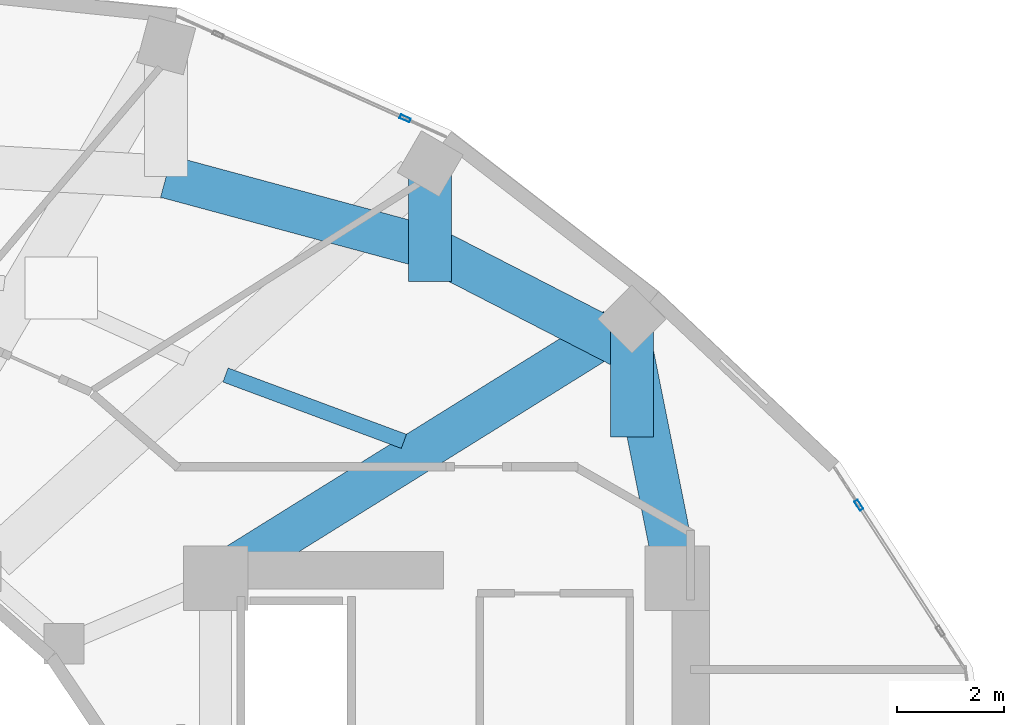
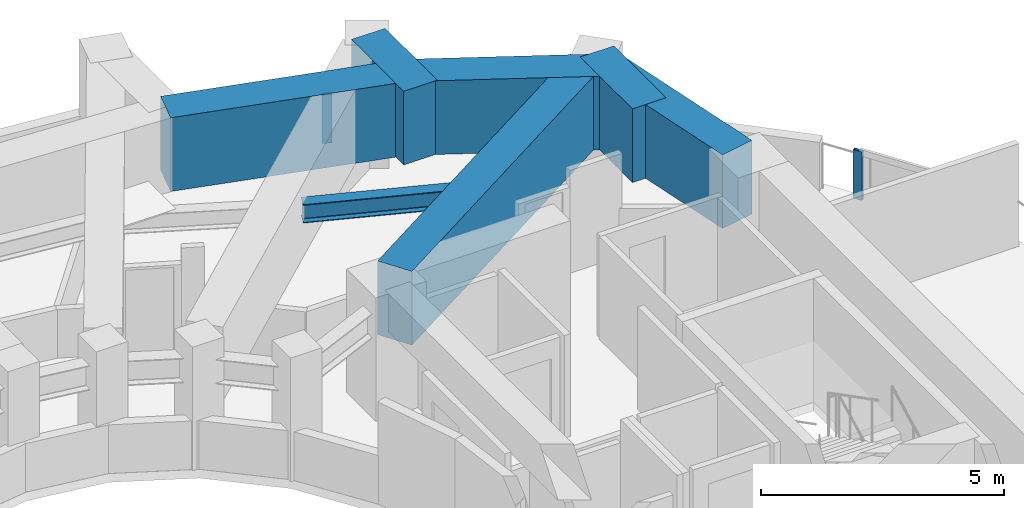
# One storey, part 10 of 20: 7 beams, 2 members, 2 elements without a shape of their own.
"""IFC4 building model written with IfcOpenShell, lengths in metres."""

from ifc_helpers import new_model, si_unit, direction, frame, origin, origin_2d, place, context, subcontext, project, spatial, rectangle, hollow_rectangle, i_section, extrude, material, layer, layer_set, material_profile, profile_set, type_object, element, aggregate, save


model = new_model("IFC4")

# Units and contexts
model_context = context("Model", 3, precision=1e-05, world=origin(), true_north=direction((0.0, 1.0)))
body_context = subcontext(model_context, "Body", "Model", "MODEL_VIEW")
ifc_project = project(units=[si_unit("LENGTHUNIT", "METRE"), si_unit("AREAUNIT", "SQUARE_METRE"), si_unit("VOLUMEUNIT", "CUBIC_METRE"), si_unit("PLANEANGLEUNIT", "RADIAN"), si_unit("MASSUNIT", "GRAM", prefix="KILO")], contexts=[model_context])

# Site, building, storey
site_placement = place(None, origin())
site = spatial("IfcSite", under=ifc_project, at=site_placement, CompositionType="ELEMENT")
building_placement = place(site_placement, origin())
building = spatial("IfcBuilding", under=site, at=building_placement, Name="Solvane Sanctuary Tower", CompositionType="ELEMENT")
storey_placement = place(building_placement, frame((0.0, 0.0, 159.10009765625)))
storey = spatial("IfcBuildingStorey", under=building, at=storey_placement, Name="L48", CompositionType="ELEMENT", Elevation=159.10009765625)

# Beams
ifc_material_1 = material(Name="Steel ASTM A992 Grade 50", Category="steel")
ifc_material_profile_1 = material_profile(ifc_material_1, i_section(OverallWidth=0.280029296875, OverallDepth=0.462890625, WebThickness=0.0107421875, FlangeThickness=0.017333984375, FilletRadius=0.013916015625, at=origin_2d()), Name="W18X76")
ifc_profile_set_1 = profile_set([ifc_material_profile_1], Name="Steel ASTM A992 Grade 50")
beam_type_1 = type_object("IfcBeamType", Name="Beam B-SEC-JOIST W18X76", PredefinedType="JOIST", material=ifc_profile_set_1)
beam_1_placement = place(storey_placement, frame((40.2841796875, 33.989501953125, 2.366455078125), z_axis=(0.93726788939, -0.348609959006, 0.0), x_axis=(0.348609959006, 0.93726788939, 0.0)))
element("IfcBeam", 1, at=beam_1_placement, inside=storey, type_object=beam_type_1, Name="L48 Secondary Circumferential Joist 02-01", PredefinedType="JOIST", context=body_context, shape_type="SweptSolid", body=[
    extrude(i_section(OverallWidth=0.280029296875, OverallDepth=0.462890625, WebThickness=0.0107421875, FlangeThickness=0.017333984375, FilletRadius=0.013916015625, at=origin_2d()), origin(), (0.0, 0.0, 1.0), 3.54638671875),
])
ifc_material_2 = material(Name="Concrete C70/85", Category="concrete")
ifc_material_profile_2 = material_profile(ifc_material_2, rectangle(XDim=0.800048828125, YDim=1.85009765625, at=origin_2d()), Name="RC800X1850")
ifc_profile_set_2 = profile_set([ifc_material_profile_2], Name="Concrete C70/85")
beam_type_2 = type_object("IfcBeamType", Name="Beam B-XFER-BLK RC800X1850", PredefinedType="BEAM", material=ifc_profile_set_2)
beam_2_placement = place(storey_placement, frame((40.405517578125, 30.390380859375, 2.1748046875), z_axis=(0.848827580256, 0.528669782565, 0.0), x_axis=(-0.528669782565, 0.848827580256, 0.0)))
element("IfcBeam", 2, at=beam_2_placement, inside=storey, type_object=beam_type_2, Name="L48 Block-Shift Radial Transfer Girder 01A", PredefinedType="BEAM", context=body_context, shape_type="SweptSolid", body=[
    extrude(rectangle(XDim=0.800048828125, YDim=1.85009765625, at=origin_2d()), origin(), (0.0, 0.0, 1.0), 8.407958984375),
])
beam_3_placement = place(storey_placement, frame((47.856689453125, 34.981201171875, 2.1748046875), z_axis=(0.0, -1.0, 0.0), x_axis=(1.0, 0.0, 0.0)))
element("IfcBeam", 3, at=beam_3_placement, inside=storey, type_object=beam_type_2, Name="L48 Block-Shift Transfer Tie 01B", PredefinedType="BEAM", context=body_context, shape_type="SweptSolid", body=[
    extrude(rectangle(XDim=0.800048828125, YDim=1.85009765625, at=origin_2d()), origin(), (0.0, 0.0, 1.0), 2.150146484375),
])
beam_4_placement = place(storey_placement, frame((44.09814453125, 37.8779296875, 2.1748046875), z_axis=(0.0, -1.0, 0.0), x_axis=(1.0, 0.0, 0.0)))
element("IfcBeam", 4, at=beam_4_placement, inside=storey, type_object=beam_type_2, Name="L48 Block-Shift Transfer Tie 02B", PredefinedType="BEAM", context=body_context, shape_type="SweptSolid", body=[
    extrude(rectangle(XDim=0.800048828125, YDim=1.85009765625, at=origin_2d()), origin(), (0.0, 0.0, 1.0), 2.14990234375),
])
beam_5_placement = place(storey_placement, frame((39.17822265625, 37.686767578125, 2.1748046875), z_axis=(0.965477774792, -0.260485443705, 0.0), x_axis=(0.260485443705, 0.965477774792, 0.0)))
element("IfcBeam", 5, at=beam_5_placement, inside=storey, type_object=beam_type_2, Name="L48 Perimeter Step Transfer Ring NTC03-NTC02", PredefinedType="BEAM", context=body_context, shape_type="SweptSolid", body=[
    extrude(rectangle(XDim=0.800048828125, YDim=1.85009765625, at=origin_2d()), origin(), (0.0, 0.0, 1.0), 5.095947265625),
])
beam_6_placement = place(storey_placement, frame((44.09814453125, 36.359375, 2.1748046875), z_axis=(0.889297870953, -0.457328434189, 0.0), x_axis=(0.457328434189, 0.889297870953, 0.0)))
element("IfcBeam", 6, at=beam_6_placement, inside=storey, type_object=beam_type_2, Name="L48 Perimeter Step Transfer Ring NTC02-NTC01", PredefinedType="BEAM", context=body_context, shape_type="SweptSolid", body=[
    extrude(rectangle(XDim=0.800048828125, YDim=1.85009765625, at=origin_2d()), origin(), (0.0, 0.0, 1.0), 4.226318359375),
])
beam_7_placement = place(storey_placement, frame((47.856689453125, 34.426513671875, 2.1748046875), z_axis=(0.19562876256, -0.980678024256, 0.0), x_axis=(0.980678024256, 0.19562876256, 0.0)))
element("IfcBeam", 7, at=beam_7_placement, inside=storey, type_object=beam_type_2, Name="L48 Perimeter Step Transfer Ring NTC01-CE3", PredefinedType="BEAM", context=body_context, shape_type="SweptSolid", body=[
    extrude(rectangle(XDim=0.800048828125, YDim=1.85009765625, at=origin_2d()), origin(), (0.0, 0.0, 1.0), 3.949951171875),
])

# Curtain wall, member
ifc_material_3 = material(Name="Anodised Aluminium 6063-T6", Category="aluminium")
ifc_layer_1 = layer(ifc_material_3, 0.2099609375, Name="Anodised Aluminium 6063-T6")
ifc_layer_set_1 = layer_set([ifc_layer_1], Name="Anodised Aluminium 6063-T6")
curtain_wall_type_1 = type_object("IfcCurtainWallType", Name="Curtain Wall CW-PORTAL", PredefinedType="NOTDEFINED", material=ifc_layer_set_1)
curtain_wall_1_placement = place(storey_placement, origin())
curtain_wall_1 = element("IfcCurtainWall", 8, at=curtain_wall_1_placement, inside=storey, type_object=curtain_wall_type_1, Name="L48 CW-PORTAL Facade Run 01", PredefinedType="NOTDEFINED")
ifc_material_profile_3 = material_profile(ifc_material_3, hollow_rectangle(XDim=0.074951171875, YDim=0.199951171875, WallThickness=0.00390625, at=origin_2d()), Name="ALU200X75X4")
ifc_profile_set_3 = profile_set([ifc_material_profile_3], Name="Anodised Aluminium 6063-T6")
member_type = type_object("IfcMemberType", Name="Member M-CW-MUL-1 ALU200X75X4", PredefinedType="MULLION", material=ifc_profile_set_3)
member_1_placement = place(storey_placement, frame((52.0849609375, 31.56396484375, 0.0), z_axis=(0.0, 0.0, 1.0), x_axis=(-0.839512220128, -0.543340806728, 0.0)))
member_1 = element("IfcMember", 9, at=member_1_placement, type_object=member_type, Name="CW-PORTAL mullion 2", PredefinedType="MULLION", context=body_context, shape_type="SweptSolid", body=[
    extrude(hollow_rectangle(XDim=0.074951171875, YDim=0.199951171875, WallThickness=0.00390625, at=origin_2d()), origin(), (0.0, 0.0, 1.0), 1.219970703125),
])
aggregate(curtain_wall_1, [member_1])

ifc_layer_2 = layer(ifc_material_3, 0.179931640625, Name="Anodised Aluminium 6063-T6")
ifc_layer_set_2 = layer_set([ifc_layer_2], Name="Anodised Aluminium 6063-T6")
curtain_wall_type_2 = type_object("IfcCurtainWallType", Name="Curtain Wall CW-FRIT-Z2", PredefinedType="NOTDEFINED", material=ifc_layer_set_2)
curtain_wall_2_placement = place(storey_placement, origin())
curtain_wall_2 = element("IfcCurtainWall", 10, at=curtain_wall_2_placement, inside=storey, type_object=curtain_wall_type_2, Name="L48 CW-FRIT-Z2 Facade Run 04", PredefinedType="NOTDEFINED")
member_2_placement = place(storey_placement, frame((43.630859375, 38.7705078125, 0.0), z_axis=(0.0, 0.0, 1.0), x_axis=(-0.409410643281, -0.912350220676, 0.0)))
member_2 = element("IfcMember", 11, at=member_2_placement, type_object=member_type, Name="CW-FRIT-Z2 mullion 1", PredefinedType="MULLION", context=body_context, shape_type="SweptSolid", body=[
    extrude(hollow_rectangle(XDim=0.074951171875, YDim=0.199951171875, WallThickness=0.00390625, at=origin_2d()), origin(), (0.0, 0.0, 1.0), 1.219970703125),
])
aggregate(curtain_wall_2, [member_2])

save(model, "model.ifc")
